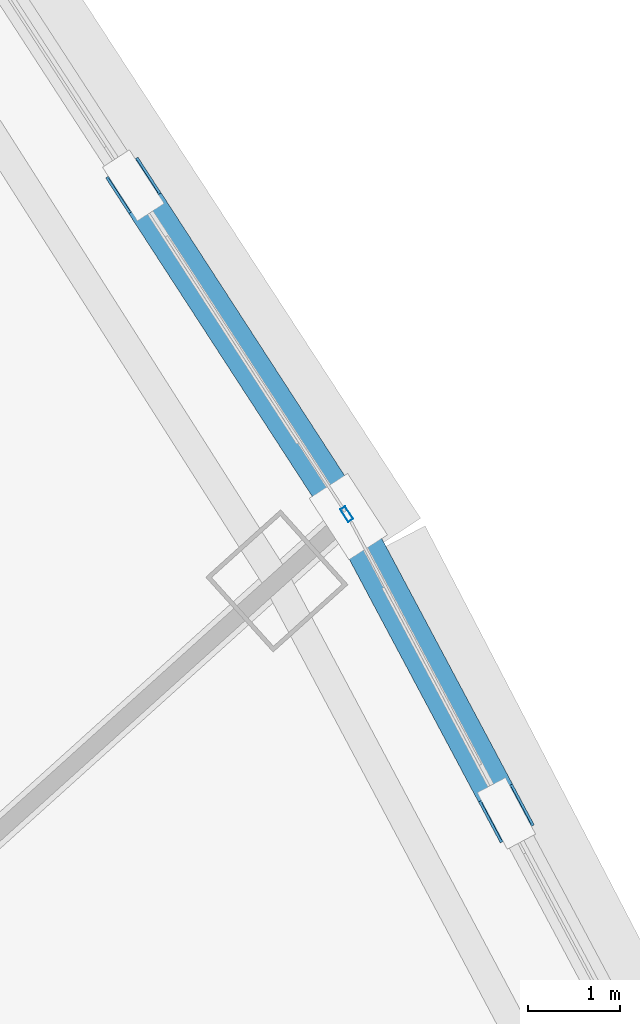
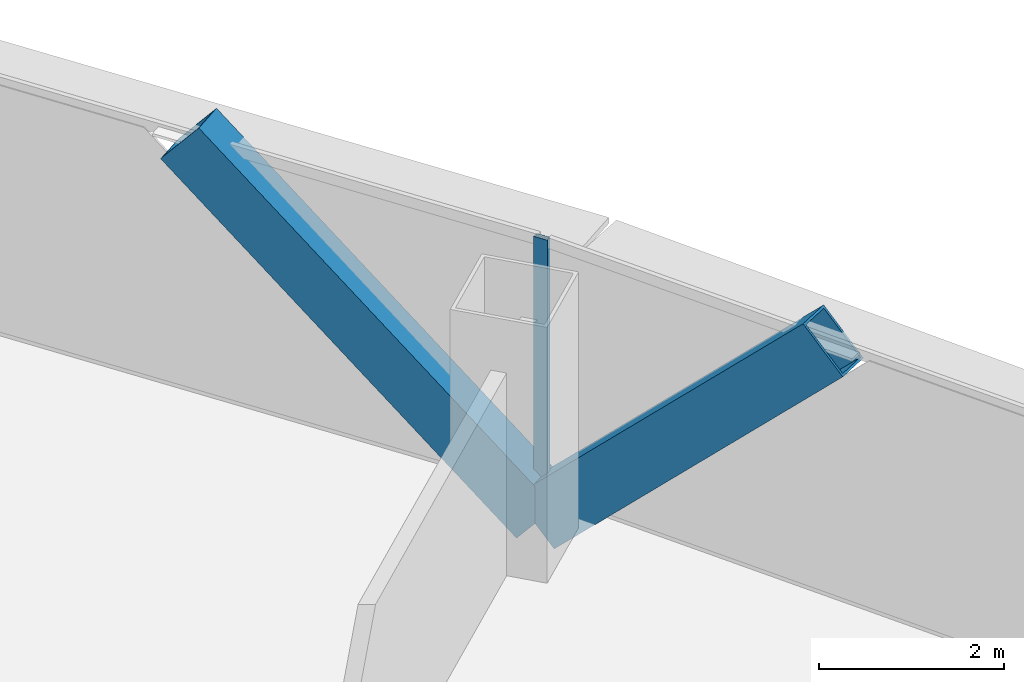
# One storey, part 25 of 41: 3 members, 1 element without a shape of its own.
"""IFC4 building model written with IfcOpenShell, lengths in metres."""

from ifc_helpers import new_model, si_unit, direction, frame, origin, origin_2d, place, context, subcontext, project, spatial, hollow_rectangle, extrude, source, transform, mapped, material, layer, layer_set, material_profile, profile_set, type_object, element, aggregate, save


model = new_model("IFC4")

# Units and contexts
model_context = context("Model", 3, precision=1e-05, world=origin(), true_north=direction((0.0, 1.0)))
body_context = subcontext(model_context, "Body", "Model", "MODEL_VIEW")
ifc_project = project(units=[si_unit("LENGTHUNIT", "METRE"), si_unit("AREAUNIT", "SQUARE_METRE"), si_unit("VOLUMEUNIT", "CUBIC_METRE"), si_unit("PLANEANGLEUNIT", "RADIAN"), si_unit("MASSUNIT", "GRAM", prefix="KILO"), si_unit("THERMODYNAMICTEMPERATUREUNIT", "KELVIN"), si_unit("POWERUNIT", "WATT")], contexts=[model_context])

# Site, building, storey
site_placement = place(None, origin())
site = spatial("IfcSite", under=ifc_project, at=site_placement, CompositionType="ELEMENT")
building_placement = place(site_placement, origin())
building = spatial("IfcBuilding", under=site, at=building_placement, Name="Yunzhuo Pagoda Commons", CompositionType="ELEMENT")
storey_placement = place(building_placement, frame((0.0, 0.0, 63.070068359375)))
storey = spatial("IfcBuildingStorey", under=building, at=storey_placement, Name="L16", CompositionType="ELEMENT", Elevation=63.070068359375)

# Members
ifc_material_1 = material(Name="Structural steel Q420B", Category="steel")
ifc_material_profile_1 = material_profile(ifc_material_1, hollow_rectangle(XDim=0.419921875, YDim=0.719970703125, WallThickness=0.028076171875, at=origin_2d()), Name="Structural steel Q420B")
ifc_profile_set_1 = profile_set([ifc_material_profile_1], Name="Structural steel Q420B")
member_type_1 = type_object("IfcMemberType", Name="M-DL1 Brace BOX 720x420x28", PredefinedType="BRACE", material=ifc_profile_set_1)
shared_shape_1 = source(origin(), body_context, "Body", "SweptSolid", [
    extrude(hollow_rectangle(XDim=0.419921875, YDim=0.719970703125, WallThickness=0.028076171875, at=origin_2d()), origin(), (0.0, 0.0, 1.0), 5.16357421875),
])
member_1_placement = place(storey_placement, frame((74.428955078125, 57.496826171875, -0.260009765625), z_axis=(0.334321497525, -0.627745230185, 0.702968749144), x_axis=(0.882630661501, 0.470067139224, 0.0)))
element("IfcMember", 1, at=member_1_placement, inside=storey, type_object=member_type_1, Name="L16 facade diamond brace F2.2R", PredefinedType="BRACE", context=body_context, shape_type="MappedRepresentation", body=[
    mapped(shared_shape_1, transform((0.0, 0.0, 0.0), scale=1.0)),
])
shared_shape_2 = source(origin(), body_context, "Body", "SweptSolid", [
    extrude(hollow_rectangle(XDim=0.419921875, YDim=0.719970703125, WallThickness=0.028076171875, at=origin_2d()), origin(), (0.0, 0.0, 1.0), 5.636962890625),
])
member_2_placement = place(storey_placement, frame((74.428955078125, 57.496826171875, -0.260009765625), z_axis=(-0.416476907934, 0.641779827554, 0.643945368881), x_axis=(-0.838849504267, -0.544363398099, 0.0)))
element("IfcMember", 2, at=member_2_placement, inside=storey, type_object=member_type_1, Name="L16 facade diamond brace F2.3L", PredefinedType="BRACE", context=body_context, shape_type="MappedRepresentation", body=[
    mapped(shared_shape_2, transform((0.0, 0.0, 0.0), scale=1.0)),
])

# Curtain wall, member
ifc_material_2 = material(Name="Anodized aluminium 6063-T6", Category="aluminium")
ifc_layer = layer(ifc_material_2, 0.1650390625)
ifc_layer_set = layer_set([ifc_layer], Name="Anodized aluminium 6063-T6")
curtain_wall_type = type_object("IfcCurtainWallType", Name="CW-LOW Low-Zone Ribbon Curtain Wall", PredefinedType="NOTDEFINED", material=ifc_layer_set)
curtain_wall_placement = place(storey_placement, origin())
curtain_wall = element("IfcCurtainWall", 3, at=curtain_wall_placement, inside=storey, type_object=curtain_wall_type, Name="L16 curtain wall CW-L16-F2B4", PredefinedType="NOTDEFINED")
ifc_material_profile_2 = material_profile(ifc_material_2, hollow_rectangle(XDim=0.06494140625, YDim=0.1650390625, WallThickness=0.00390625, at=origin_2d()), Name="Anodized aluminium 6063-T6")
ifc_profile_set_2 = profile_set([ifc_material_profile_2], Name="Anodized aluminium 6063-T6")
member_type_2 = type_object("IfcMemberType", Name="CW-LOW-M Mullion RHS 165x65x4", PredefinedType="MULLION", material=ifc_profile_set_2)
shared_shape_3 = source(origin(), body_context, "Body", "SweptSolid", [
    extrude(hollow_rectangle(XDim=0.06494140625, YDim=0.1650390625, WallThickness=0.00390625, at=origin_2d()), origin(), (0.0, 0.0, 1.0), 3.369873046875),
])
member_3_placement = place(storey_placement, frame((74.411376953125, 57.524169921875, 0.0), z_axis=(0.0, 0.0, 1.0), x_axis=(-0.838840312647, -0.54437756188, 0.0)))
member_3 = element("IfcMember", 4, at=member_3_placement, type_object=member_type_2, Name="CW mullion 1", PredefinedType="MULLION", context=body_context, shape_type="MappedRepresentation", body=[
    mapped(shared_shape_3, transform((0.0, 0.0, 0.0), scale=1.0)),
])
aggregate(curtain_wall, [member_3])

save(model, "model.ifc")
